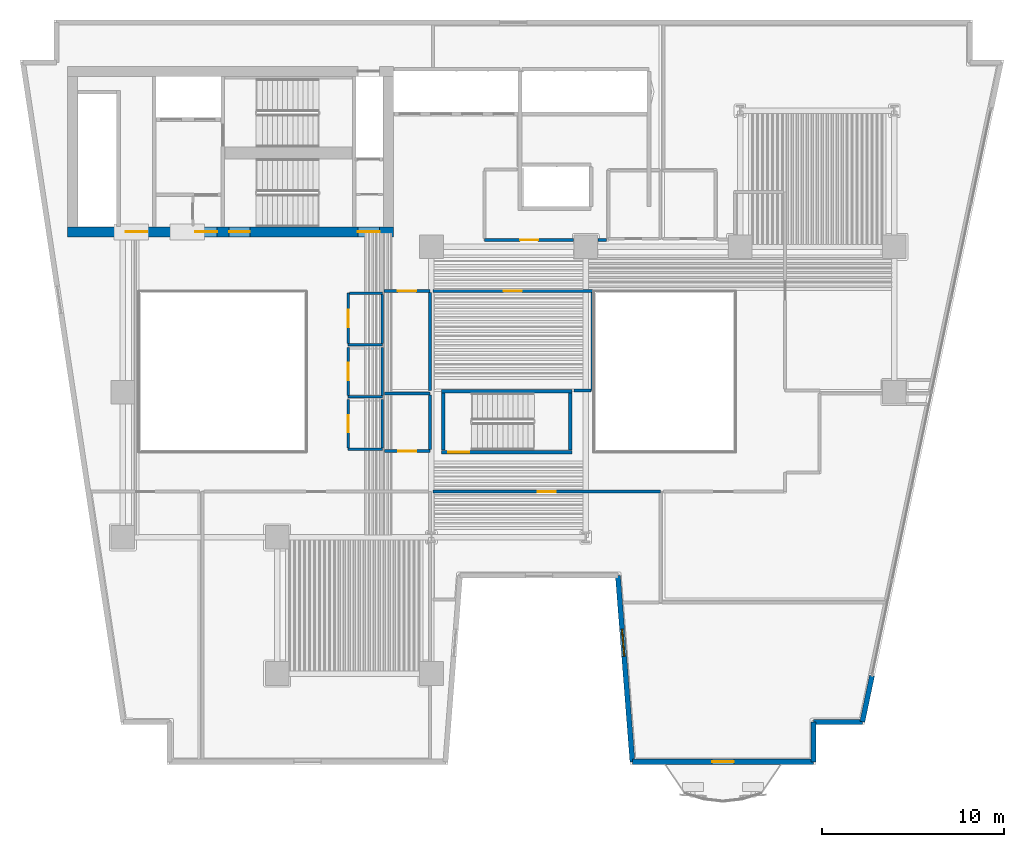
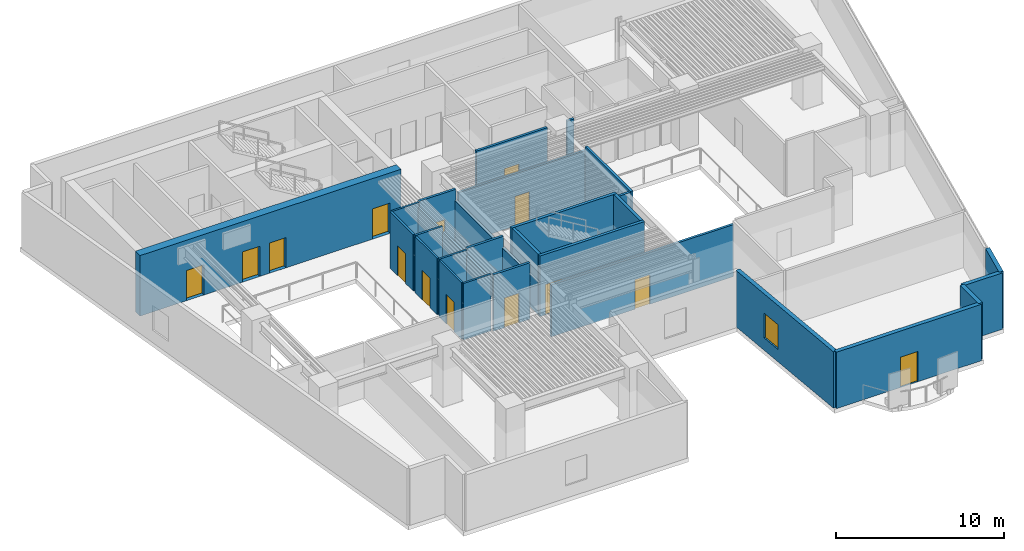
# One storey, part 4 of 11: 31 walls, 14 doors, 1 window, 15 openings.
"""IFC4 building model written with IfcOpenShell, lengths in metres."""

from ifc_helpers import new_model, si_unit, direction, frame, frame_2d, origin, place, context, subcontext, project, spatial, rectangle, extrude, material, layer, layer_set, type_object, element, fill, save


model = new_model("IFC4")

# Units and contexts
model_context = context("Model", 3, precision=1e-05, world=origin(), true_north=direction((0.0, 1.0)))
body_context = subcontext(model_context, "Body", "Model", "MODEL_VIEW")
ifc_project = project(units=[si_unit("LENGTHUNIT", "METRE"), si_unit("AREAUNIT", "SQUARE_METRE"), si_unit("VOLUMEUNIT", "CUBIC_METRE"), si_unit("PLANEANGLEUNIT", "RADIAN"), si_unit("MASSUNIT", "GRAM", prefix="KILO")], contexts=[model_context])

# Site, building, storey
site_placement = place(None, origin())
site = spatial("IfcSite", under=ifc_project, at=site_placement, CompositionType="ELEMENT")
building_placement = place(site_placement, origin())
building = spatial("IfcBuilding", under=site, at=building_placement, Name="Caeloran Harvest Quay", CompositionType="ELEMENT")
storey_placement = place(building_placement, frame((0.0, 0.0, 44.60009765625)))
storey = spatial("IfcBuildingStorey", under=building, at=storey_placement, Name="L10", CompositionType="ELEMENT", Elevation=44.60009765625)

# Walls
ifc_material_1 = material(Name="Precast concrete C50/60", Category="concrete")
ifc_layer_1 = layer(ifc_material_1, 0.280029296875, Name="Precast concrete C50/60")
ifc_layer_set_1 = layer_set([ifc_layer_1], Name="Precast concrete C50/60")
wall_type_1 = type_object("IfcWallType", Name="ENV-WALL-EW-280", PredefinedType="STANDARD", material=ifc_layer_set_1)
wall_1_placement = place(storey_placement, frame((49.77001953125, 7.384521484375, 0.0), z_axis=(0.0, 0.0, 1.0), x_axis=(-0.205551409765, -0.978646319128, 0.0)))
element("IfcWall", 1, at=wall_1_placement, inside=storey, type_object=wall_type_1, Name="L10 Exterior Facade Corner Pier Wall 9B", PredefinedType="STANDARD", context=body_context, shape_type="SweptSolid", body=[
    extrude(rectangle(XDim=2.599853515625, YDim=0.280029296875, at=frame_2d((1.2998046875, 0.0))), origin(), (0.0, 0.0, 1.0), 4.099853515625),
])
wall_2_placement = place(storey_placement, frame((49.235595703125, 4.840087890625, 0.0), z_axis=(0.0, 0.0, 1.0), x_axis=(-1.0, 0.0, 0.0)))
element("IfcWall", 2, at=wall_2_placement, inside=storey, type_object=wall_type_1, Name="L10 Exterior Precast Concrete Facade Wall 10", PredefinedType="STANDARD", context=body_context, shape_type="SweptSolid", body=[
    extrude(rectangle(XDim=2.6884765625, YDim=0.280029296875, at=frame_2d((1.34423828125, 0.0))), origin(), (0.0, 0.0, 1.0), 4.099853515625),
])
wall_3_placement = place(storey_placement, frame((46.547119140625, 4.840087890625, 0.0), z_axis=(0.0, 0.0, 1.0), x_axis=(0.0, -1.0, 0.0)))
element("IfcWall", 3, at=wall_3_placement, inside=storey, type_object=wall_type_1, Name="L10 Exterior Precast Concrete Facade Wall 11", PredefinedType="STANDARD", context=body_context, shape_type="SweptSolid", body=[
    extrude(rectangle(XDim=2.2001953125, YDim=0.280029296875, at=frame_2d((1.10009765625, 0.0))), origin(), (0.0, 0.0, 1.0), 4.099853515625),
])

# Wall, opening, door
wall_4_placement = place(storey_placement, frame((46.547119140625, 2.639892578125, 0.0), z_axis=(0.0, 0.0, 1.0), x_axis=(-1.0, 0.0, 0.0)))
wall_4 = element("IfcWall", 4, at=wall_4_placement, inside=storey, type_object=wall_type_1, Name="L10 Exterior Precast Concrete Facade Wall 12", PredefinedType="STANDARD", context=body_context, shape_type="SweptSolid", body=[
    extrude(rectangle(XDim=9.97705078125, YDim=0.280029296875, at=frame_2d((4.988525390625, 0.0))), origin(), (0.0, 0.0, 1.0), 4.099853515625),
])
opening_1_placement = place(wall_4_placement, frame((4.387939453125, 0.0, 0.0)))
opening_1 = element("IfcOpeningElement", 5, at=opening_1_placement, cuts=wall_4, Name="Opening BD-01", PredefinedType="OPENING", context=body_context, shape_type="SweptSolid", body=[
    extrude(rectangle(XDim=1.199951171875, YDim=2.199951171875, at=frame_2d((0.60009765625, 1.10009765625))), frame((0.0, 0.14990234375, 0.0), z_axis=(0.0, -1.0, 0.0), x_axis=(1.0, 0.0, 0.0)), (0.0, 0.0, 1.0), 0.300048828125),
])
ifc_material_2 = material(Name="Thermally Broken Powder-Coated Aluminium and Safety Glass", Category="aluminium")
door_type_1 = type_object("IfcDoorType", Name="EXTDOOR-BD-01", OperationType="NOTDEFINED", PredefinedType="DOOR", material=ifc_material_2)
door_1_placement = place(opening_1_placement, origin())
door_1 = element("IfcDoor", 6, at=door_1_placement, inside=storey, type_object=door_type_1, Name="L10 Planted Balcony Glazed Access Door", OperationType="SINGLE_SWING_LEFT", OverallHeight=2.199951171875, OverallWidth=1.199951171875, PredefinedType="DOOR", context=body_context, shape_type="SweptSolid", body=[
    extrude(rectangle(XDim=1.199951171875, YDim=2.199951171875, at=frame_2d((0.60009765625, 1.10009765625))), frame((0.0, 0.02490234375, 0.0), z_axis=(0.0, -1.0, 0.0), x_axis=(1.0, 0.0, 0.0)), (0.0, 0.0, 1.0), 0.050048828125),
])
fill(opening_1, door_1)

# Wall, opening, window
wall_5_placement = place(storey_placement, frame((36.570068359375, 2.639892578125, 0.0), z_axis=(0.0, 0.0, 1.0), x_axis=(-0.077816860153, 0.996967670627, 0.0)))
wall_5 = element("IfcWall", 7, at=wall_5_placement, inside=storey, type_object=wall_type_1, Name="L10 Exterior Precast Concrete Facade Wall 13", PredefinedType="STANDARD", context=body_context, shape_type="SweptSolid", body=[
    extrude(rectangle(XDim=10.28125, YDim=0.280029296875, at=frame_2d((5.140625, 0.0))), origin(), (0.0, 0.0, 1.0), 4.099853515625),
])
opening_2_placement = place(wall_5_placement, frame((5.830078125, 0.0, 0.89990234375)))
opening_2 = element("IfcOpeningElement", 8, at=opening_2_placement, cuts=wall_5, Name="Opening W-03", PredefinedType="OPENING", context=body_context, shape_type="SweptSolid", body=[
    extrude(rectangle(XDim=1.5, YDim=1.800048828125, at=frame_2d((0.75, 0.89990234375))), frame((0.0, 0.14990234375, 0.0), z_axis=(0.0, -1.0, 0.0), x_axis=(1.0, 0.0, 0.0)), (0.0, 0.0, 1.0), 0.300048828125),
])
ifc_material_3 = material(Name="Aluminium-Framed Low-E Laminated Glass", Category="aluminium")
window_type = type_object("IfcWindowType", Name="WIN-W-03", PartitioningType="SINGLE_PANEL", PredefinedType="WINDOW", material=ifc_material_3)
window_placement = place(opening_2_placement, origin())
window = element("IfcWindow", 9, at=window_placement, inside=storey, type_object=window_type, Name="L10 Facade Punched Window W-03", OverallHeight=1.800048828125, OverallWidth=1.5, PartitioningType="SINGLE_PANEL", PredefinedType="WINDOW", context=body_context, shape_type="SweptSolid", body=[
    extrude(rectangle(XDim=1.5, YDim=1.800048828125, at=frame_2d((0.75, 0.89990234375))), frame((0.0, 0.030029296875, 0.0), z_axis=(0.0, -1.0, 0.0), x_axis=(1.0, 0.0, 0.0)), (0.0, 0.0, 1.0), 0.06005859375),
])
fill(opening_2, window)

# Wall
ifc_material_4 = material(Name="Moisture-Resistant Cement-Board Sanitary Partition", Category="gypsum")
ifc_layer_2 = layer(ifc_material_4, 0.139892578125, Name="Moisture-Resistant Cement-Board Sanitary Partition")
ifc_layer_set_2 = layer_set([ifc_layer_2], Name="Moisture-Resistant Cement-Board Sanitary Partition")
wall_type_2 = type_object("IfcWallType", Name="INT-WALL-PW-140", PredefinedType="PARTITIONING", material=ifc_layer_set_2)
wall_6_placement = place(storey_placement, frame((22.800048828125, 25.60009765625, 0.0), z_axis=(0.0, 0.0, 1.0), x_axis=(-1.0, 0.0, 0.0)))
element("IfcWall", 10, at=wall_6_placement, inside=storey, type_object=wall_type_2, Name="L10 Male Washroom WC Partition Wall", PredefinedType="PARTITIONING", context=body_context, shape_type="SweptSolid", body=[
    extrude(rectangle(XDim=1.89013671875, YDim=0.139892578125, at=frame_2d((0.945068359375, 0.0))), origin(), (0.0, 0.0, 1.0), 4.099853515625),
])

# Wall, opening, door
wall_7_placement = place(storey_placement, frame((20.909912109375, 25.675048828125, 0.0), z_axis=(0.0, 0.0, 1.0), x_axis=(0.0, 1.0, 0.0)))
wall_7 = element("IfcWall", 11, at=wall_7_placement, inside=storey, type_object=wall_type_2, Name="L10 Male Washroom WC Partition Wall", PredefinedType="PARTITIONING", context=body_context, shape_type="SweptSolid", body=[
    extrude(rectangle(XDim=2.77490234375, YDim=0.139892578125, at=frame_2d((1.387451171875, 0.0))), origin(), (0.0, 0.0, 1.0), 4.099853515625),
])
opening_3_placement = place(wall_7_placement, frame((0.91259765625, 0.0, 0.0)))
opening_3 = element("IfcOpeningElement", 12, at=opening_3_placement, cuts=wall_7, Name="Opening WC-01", PredefinedType="OPENING", context=body_context, shape_type="SweptSolid", body=[
    extrude(rectangle(XDim=0.949951171875, YDim=2.14990234375, at=frame_2d((0.47509765625, 1.074951171875))), frame((0.0, 0.080078125, 0.0), z_axis=(0.0, -1.0, 0.0), x_axis=(1.0, 0.0, 0.0)), (0.0, 0.0, 1.0), 0.159912109375),
])
ifc_material_5 = material(Name="High-Pressure Laminate Moisture-Resistant Timber", Category="wood")
door_type_2 = type_object("IfcDoorType", Name="INTDOOR-WC-01", OperationType="NOTDEFINED", PredefinedType="DOOR", material=ifc_material_5)
door_2_placement = place(opening_3_placement, origin())
door_2 = element("IfcDoor", 13, at=door_2_placement, inside=storey, type_object=door_type_2, Name="L10 Male Washroom WC Access Door", OperationType="SINGLE_SWING_LEFT", OverallHeight=2.14990234375, OverallWidth=0.949951171875, PredefinedType="DOOR", context=body_context, shape_type="SweptSolid", body=[
    extrude(rectangle(XDim=0.949951171875, YDim=2.14990234375, at=frame_2d((0.47509765625, 1.074951171875))), frame((0.0, 0.02490234375, 0.0), z_axis=(0.0, -1.0, 0.0), x_axis=(1.0, 0.0, 0.0)), (0.0, 0.0, 1.0), 0.050048828125),
])
fill(opening_3, door_2)

# Walls
wall_8_placement = place(storey_placement, frame((20.985107421875, 28.449951171875, 0.0), z_axis=(0.0, 0.0, 1.0), x_axis=(1.0, 0.0, 0.0)))
element("IfcWall", 14, at=wall_8_placement, inside=storey, type_object=wall_type_2, Name="L10 Male Washroom WC Partition Wall", PredefinedType="PARTITIONING", context=body_context, shape_type="SweptSolid", body=[
    extrude(rectangle(XDim=1.81494140625, YDim=0.139892578125, at=frame_2d((0.907470703125, 0.0))), origin(), (0.0, 0.0, 1.0), 4.099853515625),
])
wall_9_placement = place(storey_placement, frame((22.800048828125, 28.375, 0.0), z_axis=(0.0, 0.0, 1.0), x_axis=(0.0, -1.0, 0.0)))
element("IfcWall", 15, at=wall_9_placement, inside=storey, type_object=wall_type_2, Name="L10 Male Washroom WC Partition Wall", PredefinedType="PARTITIONING", context=body_context, shape_type="SweptSolid", body=[
    extrude(rectangle(XDim=2.699951171875, YDim=0.139892578125, at=frame_2d((1.35009765625, 0.0))), origin(), (0.0, 0.0, 1.0), 3.784912109375),
])
wall_10_placement = place(storey_placement, frame((22.800048828125, 22.75, 0.0), z_axis=(0.0, 0.0, 1.0), x_axis=(-1.0, 0.0, 0.0)))
element("IfcWall", 16, at=wall_10_placement, inside=storey, type_object=wall_type_2, Name="L10 Female Washroom WC Partition Wall", PredefinedType="PARTITIONING", context=body_context, shape_type="SweptSolid", body=[
    extrude(rectangle(XDim=1.89013671875, YDim=0.139892578125, at=frame_2d((0.945068359375, 0.0))), origin(), (0.0, 0.0, 1.0), 4.099853515625),
])

# Wall, opening, door
wall_11_placement = place(storey_placement, frame((20.909912109375, 22.824951171875, 0.0), z_axis=(0.0, 0.0, 1.0), x_axis=(0.0, 1.0, 0.0)))
wall_11 = element("IfcWall", 17, at=wall_11_placement, inside=storey, type_object=wall_type_2, Name="L10 Female Washroom WC Partition Wall", PredefinedType="PARTITIONING", context=body_context, shape_type="SweptSolid", body=[
    extrude(rectangle(XDim=2.625, YDim=0.139892578125, at=frame_2d((1.3125, 0.0))), origin(), (0.0, 0.0, 1.0), 4.099853515625),
])
opening_4_placement = place(wall_11_placement, frame((0.83740234375, 0.0, 0.0)))
opening_4 = element("IfcOpeningElement", 18, at=opening_4_placement, cuts=wall_11, Name="Opening WC-01", PredefinedType="OPENING", context=body_context, shape_type="SweptSolid", body=[
    extrude(rectangle(XDim=0.949951171875, YDim=2.14990234375, at=frame_2d((0.47509765625, 1.074951171875))), frame((0.0, 0.080078125, 0.0), z_axis=(0.0, -1.0, 0.0), x_axis=(1.0, 0.0, 0.0)), (0.0, 0.0, 1.0), 0.159912109375),
])
door_3_placement = place(opening_4_placement, origin())
door_3 = element("IfcDoor", 19, at=door_3_placement, inside=storey, type_object=door_type_2, Name="L10 Female Washroom WC Access Door", OperationType="SINGLE_SWING_RIGHT", OverallHeight=2.14990234375, OverallWidth=0.949951171875, PredefinedType="DOOR", context=body_context, shape_type="SweptSolid", body=[
    extrude(rectangle(XDim=0.949951171875, YDim=2.14990234375, at=frame_2d((0.47509765625, 1.074951171875))), frame((0.0, 0.02490234375, 0.0), z_axis=(0.0, -1.0, 0.0), x_axis=(1.0, 0.0, 0.0)), (0.0, 0.0, 1.0), 0.050048828125),
])
fill(opening_4, door_3)

# Walls
wall_12_placement = place(storey_placement, frame((22.800048828125, 25.449951171875, 0.0), z_axis=(0.0, 0.0, 1.0), x_axis=(0.0, -1.0, 0.0)))
element("IfcWall", 20, at=wall_12_placement, inside=storey, type_object=wall_type_2, Name="L10 Female Washroom WC Partition Wall", PredefinedType="PARTITIONING", context=body_context, shape_type="SweptSolid", body=[
    extrude(rectangle(XDim=2.625, YDim=0.139892578125, at=frame_2d((1.3125, 0.0))), origin(), (0.0, 0.0, 1.0), 3.784912109375),
])
wall_13_placement = place(storey_placement, frame((22.800048828125, 19.85009765625, 0.0), z_axis=(0.0, 0.0, 1.0), x_axis=(-1.0, 0.0, 0.0)))
element("IfcWall", 21, at=wall_13_placement, inside=storey, type_object=wall_type_2, Name="L10 Accessible Unisex Washroom WC Partition Wall", PredefinedType="PARTITIONING", context=body_context, shape_type="SweptSolid", body=[
    extrude(rectangle(XDim=1.89013671875, YDim=0.139892578125, at=frame_2d((0.945068359375, 0.0))), origin(), (0.0, 0.0, 1.0), 4.099853515625),
])

# Wall, opening, door
wall_14_placement = place(storey_placement, frame((20.909912109375, 19.925048828125, 0.0), z_axis=(0.0, 0.0, 1.0), x_axis=(0.0, 1.0, 0.0)))
wall_14 = element("IfcWall", 22, at=wall_14_placement, inside=storey, type_object=wall_type_2, Name="L10 Accessible Unisex Washroom WC Partition Wall", PredefinedType="PARTITIONING", context=body_context, shape_type="SweptSolid", body=[
    extrude(rectangle(XDim=2.675048828125, YDim=0.139892578125, at=frame_2d((1.33740234375, 0.0))), origin(), (0.0, 0.0, 1.0), 4.099853515625),
])
opening_5_placement = place(wall_14_placement, frame((0.862548828125, 0.0, 0.0)))
opening_5 = element("IfcOpeningElement", 23, at=opening_5_placement, cuts=wall_14, Name="Opening WC-01", PredefinedType="OPENING", context=body_context, shape_type="SweptSolid", body=[
    extrude(rectangle(XDim=0.949951171875, YDim=2.14990234375, at=frame_2d((0.47509765625, 1.074951171875))), frame((0.0, 0.080078125, 0.0), z_axis=(0.0, -1.0, 0.0), x_axis=(1.0, 0.0, 0.0)), (0.0, 0.0, 1.0), 0.159912109375),
])
door_4_placement = place(opening_5_placement, origin())
door_4 = element("IfcDoor", 24, at=door_4_placement, inside=storey, type_object=door_type_2, Name="L10 Accessible Unisex Washroom WC Access Door", OperationType="SINGLE_SWING_LEFT", OverallHeight=2.14990234375, OverallWidth=0.949951171875, PredefinedType="DOOR", context=body_context, shape_type="SweptSolid", body=[
    extrude(rectangle(XDim=0.949951171875, YDim=2.14990234375, at=frame_2d((0.47509765625, 1.074951171875))), frame((0.0, 0.02490234375, 0.0), z_axis=(0.0, -1.0, 0.0), x_axis=(1.0, 0.0, 0.0)), (0.0, 0.0, 1.0), 0.050048828125),
])
fill(opening_5, door_4)

# Wall
wall_15_placement = place(storey_placement, frame((22.800048828125, 22.60009765625, 0.0), z_axis=(0.0, 0.0, 1.0), x_axis=(0.0, -1.0, 0.0)))
element("IfcWall", 25, at=wall_15_placement, inside=storey, type_object=wall_type_2, Name="L10 Accessible Unisex Washroom WC Partition Wall", PredefinedType="PARTITIONING", context=body_context, shape_type="SweptSolid", body=[
    extrude(rectangle(XDim=2.675048828125, YDim=0.139892578125, at=frame_2d((1.33740234375, 0.0))), origin(), (0.0, 0.0, 1.0), 3.784912109375),
])

# Wall, opening, door
ifc_material_6 = material(Name="Autoclaved Aerated Concrete Blockwork", Category="masonry")
ifc_layer_3 = layer(ifc_material_6, 0.1650390625, Name="Autoclaved Aerated Concrete Blockwork")
ifc_layer_set_3 = layer_set([ifc_layer_3], Name="Autoclaved Aerated Concrete Blockwork")
wall_type_3 = type_object("IfcWallType", Name="INT-WALL-PW-165", PredefinedType="PARTITIONING", material=ifc_layer_set_3)
wall_16_placement = place(storey_placement, frame((25.580078125, 17.52001953125, 0.0), z_axis=(0.0, 0.0, 1.0), x_axis=(1.0, 0.0, 0.0)))
wall_16 = element("IfcWall", 26, at=wall_16_placement, inside=storey, type_object=wall_type_3, Name="Microgreens LED Rack Chamber Partition Wall", PredefinedType="PARTITIONING", context=body_context, shape_type="SweptSolid", body=[
    extrude(rectangle(XDim=12.5400390625, YDim=0.1650390625, at=frame_2d((6.27001953125, 0.0))), origin(), (0.0, 0.0, 1.0), 3.784912109375),
])
opening_6_placement = place(wall_16_placement, frame((5.77001953125, 0.0, 0.0)))
opening_6 = element("IfcOpeningElement", 27, at=opening_6_placement, cuts=wall_16, Name="Opening ID-01", PredefinedType="OPENING", context=body_context, shape_type="SweptSolid", body=[
    extrude(rectangle(XDim=1.0, YDim=2.14990234375, at=frame_2d((0.5, 1.074951171875))), frame((0.0, 0.092529296875, 0.0), z_axis=(0.0, -1.0, 0.0), x_axis=(1.0, 0.0, 0.0)), (0.0, 0.0, 1.0), 0.18505859375),
])
ifc_material_7 = material(Name="FSC Solid-Core Ash Timber and Acoustic Seal", Category="wood")
door_type_3 = type_object("IfcDoorType", Name="INTDOOR-ID-01", OperationType="NOTDEFINED", PredefinedType="DOOR", material=ifc_material_7)
door_5_placement = place(opening_6_placement, origin())
door_5 = element("IfcDoor", 28, at=door_5_placement, inside=storey, type_object=door_type_3, Name="Microgreens LED Rack Chamber Access Door", OperationType="SINGLE_SWING_LEFT", OverallHeight=2.14990234375, OverallWidth=1.0, PredefinedType="DOOR", context=body_context, shape_type="SweptSolid", body=[
    extrude(rectangle(XDim=1.0, YDim=2.14990234375, at=frame_2d((0.5, 1.074951171875))), frame((0.0, 0.02490234375, 0.0), z_axis=(0.0, -1.0, 0.0), x_axis=(1.0, 0.0, 0.0)), (0.0, 0.0, 1.0), 0.050048828125),
])
fill(opening_6, door_5)

wall_17_placement = place(storey_placement, frame((25.419921875, 19.75, 0.0), z_axis=(0.0, 0.0, 1.0), x_axis=(-1.0, 0.0, 0.0)))
wall_17 = element("IfcWall", 29, at=wall_17_placement, inside=storey, type_object=wall_type_3, Name="Controlled-Climate Seed Vault Laboratory Partition Wall", PredefinedType="PARTITIONING", context=body_context, shape_type="SweptSolid", body=[
    extrude(rectangle(XDim=2.510009765625, YDim=0.1650390625, at=frame_2d((1.2548828125, 0.0))), origin(), (0.0, 0.0, 1.0), 4.099853515625),
])
opening_7_placement = place(wall_17_placement, frame((0.7548828125, 0.0, 0.0)))
opening_7 = element("IfcOpeningElement", 30, at=opening_7_placement, cuts=wall_17, Name="Opening ID-01", PredefinedType="OPENING", context=body_context, shape_type="SweptSolid", body=[
    extrude(rectangle(XDim=1.0, YDim=2.14990234375, at=frame_2d((0.5, 1.074951171875))), frame((0.0, 0.092529296875, 0.0), z_axis=(0.0, -1.0, 0.0), x_axis=(1.0, 0.0, 0.0)), (0.0, 0.0, 1.0), 0.18505859375),
])
door_6_placement = place(opening_7_placement, origin())
door_6 = element("IfcDoor", 31, at=door_6_placement, inside=storey, type_object=door_type_3, Name="Controlled-Climate Seed Vault Laboratory Access Door", OperationType="SINGLE_SWING_RIGHT", OverallHeight=2.14990234375, OverallWidth=1.0, PredefinedType="DOOR", context=body_context, shape_type="SweptSolid", body=[
    extrude(rectangle(XDim=1.0, YDim=2.14990234375, at=frame_2d((0.5, 1.074951171875))), frame((0.0, 0.02490234375, 0.0), z_axis=(0.0, -1.0, 0.0), x_axis=(1.0, 0.0, 0.0)), (0.0, 0.0, 1.0), 0.050048828125),
])
fill(opening_7, door_6)

# Walls
wall_18_placement = place(storey_placement, frame((22.909912109375, 22.919921875, 0.0), z_axis=(0.0, 0.0, 1.0), x_axis=(1.0, 0.0, 0.0)))
element("IfcWall", 32, at=wall_18_placement, inside=storey, type_object=wall_type_3, Name="Controlled-Climate Seed Vault Laboratory Partition Wall", PredefinedType="PARTITIONING", context=body_context, shape_type="SweptSolid", body=[
    extrude(rectangle(XDim=2.510009765625, YDim=0.1650390625, at=frame_2d((1.2548828125, 0.0))), origin(), (0.0, 0.0, 1.0), 4.099853515625),
])
wall_19_placement = place(storey_placement, frame((25.419921875, 22.83251953125, 0.0), z_axis=(0.0, 0.0, 1.0), x_axis=(0.0, -1.0, 0.0)))
element("IfcWall", 33, at=wall_19_placement, inside=storey, type_object=wall_type_3, Name="Controlled-Climate Seed Vault Laboratory Partition Wall", PredefinedType="PARTITIONING", context=body_context, shape_type="SweptSolid", body=[
    extrude(rectangle(XDim=2.9951171875, YDim=0.1650390625, at=frame_2d((1.49755859375, 0.0))), origin(), (0.0, 0.0, 1.0), 3.284912109375),
])

# Wall, opening, door
wall_20_placement = place(storey_placement, frame((22.889892578125, 28.570068359375, 0.0), z_axis=(0.0, 0.0, 1.0), x_axis=(1.0, 0.0, 0.0)))
wall_20 = element("IfcWall", 34, at=wall_20_placement, inside=storey, type_object=wall_type_3, Name="Farm Operations Office Partition Wall", PredefinedType="PARTITIONING", context=body_context, shape_type="SweptSolid", body=[
    extrude(rectangle(XDim=2.530029296875, YDim=0.1650390625, at=frame_2d((1.26513671875, 0.0))), origin(), (0.0, 0.0, 1.0), 4.099853515625),
])
opening_8_placement = place(wall_20_placement, frame((0.764892578125, 0.0, 0.0)))
opening_8 = element("IfcOpeningElement", 35, at=opening_8_placement, cuts=wall_20, Name="Opening ID-01", PredefinedType="OPENING", context=body_context, shape_type="SweptSolid", body=[
    extrude(rectangle(XDim=1.0, YDim=2.14990234375, at=frame_2d((0.5, 1.074951171875))), frame((0.0, 0.092529296875, 0.0), z_axis=(0.0, -1.0, 0.0), x_axis=(1.0, 0.0, 0.0)), (0.0, 0.0, 1.0), 0.18505859375),
])
door_7_placement = place(opening_8_placement, origin())
door_7 = element("IfcDoor", 36, at=door_7_placement, inside=storey, type_object=door_type_3, Name="Farm Operations Office Access Door", OperationType="SINGLE_SWING_LEFT", OverallHeight=2.14990234375, OverallWidth=1.0, PredefinedType="DOOR", context=body_context, shape_type="SweptSolid", body=[
    extrude(rectangle(XDim=1.0, YDim=2.14990234375, at=frame_2d((0.5, 1.074951171875))), frame((0.0, 0.02490234375, 0.0), z_axis=(0.0, -1.0, 0.0), x_axis=(1.0, 0.0, 0.0)), (0.0, 0.0, 1.0), 0.050048828125),
])
fill(opening_8, door_7)

# Wall
wall_21_placement = place(storey_placement, frame((25.419921875, 28.482421875, 0.0), z_axis=(0.0, 0.0, 1.0), x_axis=(0.0, -1.0, 0.0)))
element("IfcWall", 37, at=wall_21_placement, inside=storey, type_object=wall_type_3, Name="Farm Operations Office Partition Wall", PredefinedType="PARTITIONING", context=body_context, shape_type="SweptSolid", body=[
    extrude(rectangle(XDim=5.40234375, YDim=0.1650390625, at=frame_2d((2.701171875, 0.0))), origin(), (0.0, 0.0, 1.0), 3.284912109375),
])

# Wall, opening, door
wall_22_placement = place(storey_placement, frame((25.580078125, 28.570068359375, 0.0), z_axis=(0.0, 0.0, 1.0), x_axis=(1.0, 0.0, 0.0)))
wall_22 = element("IfcWall", 38, at=wall_22_placement, inside=storey, type_object=wall_type_3, Name="Botanical Tasting Meeting Room Partition Wall", PredefinedType="PARTITIONING", context=body_context, shape_type="SweptSolid", body=[
    extrude(rectangle(XDim=8.7900390625, YDim=0.1650390625, at=frame_2d((4.39501953125, 0.0))), origin(), (0.0, 0.0, 1.0), 3.784912109375),
])
opening_9_placement = place(wall_22_placement, frame((3.89501953125, 0.0, 0.0)))
opening_9 = element("IfcOpeningElement", 39, at=opening_9_placement, cuts=wall_22, Name="Opening ID-01", PredefinedType="OPENING", context=body_context, shape_type="SweptSolid", body=[
    extrude(rectangle(XDim=1.0, YDim=2.14990234375, at=frame_2d((0.5, 1.074951171875))), frame((0.0, 0.092529296875, 0.0), z_axis=(0.0, -1.0, 0.0), x_axis=(1.0, 0.0, 0.0)), (0.0, 0.0, 1.0), 0.18505859375),
])
door_8_placement = place(opening_9_placement, origin())
door_8 = element("IfcDoor", 40, at=door_8_placement, inside=storey, type_object=door_type_3, Name="Botanical Tasting Meeting Room Access Door", OperationType="SINGLE_SWING_RIGHT", OverallHeight=2.14990234375, OverallWidth=1.0, PredefinedType="DOOR", context=body_context, shape_type="SweptSolid", body=[
    extrude(rectangle(XDim=1.0, YDim=2.14990234375, at=frame_2d((0.5, 1.074951171875))), frame((0.0, 0.02490234375, 0.0), z_axis=(0.0, -1.0, 0.0), x_axis=(1.0, 0.0, 0.0)), (0.0, 0.0, 1.0), 0.050048828125),
])
fill(opening_9, door_8)

# Walls
wall_23_placement = place(storey_placement, frame((34.3701171875, 28.482421875, 0.0), z_axis=(0.0, 0.0, 1.0), x_axis=(0.0, -1.0, 0.0)))
element("IfcWall", 41, at=wall_23_placement, inside=storey, type_object=wall_type_3, Name="Botanical Tasting Meeting Room Partition Wall", PredefinedType="PARTITIONING", context=body_context, shape_type="SweptSolid", body=[
    extrude(rectangle(XDim=5.40234375, YDim=0.1650390625, at=frame_2d((2.701171875, 0.0))), origin(), (0.0, 0.0, 1.0), 4.099853515625),
])
wall_24_placement = place(storey_placement, frame((34.282470703125, 23.080078125, 0.0), z_axis=(0.0, 0.0, 1.0), x_axis=(-1.0, 0.0, 0.0)))
element("IfcWall", 42, at=wall_24_placement, inside=storey, type_object=wall_type_3, Name="Botanical Tasting Meeting Room Partition Wall", PredefinedType="PARTITIONING", context=body_context, shape_type="SweptSolid", body=[
    extrude(rectangle(XDim=0.93798828125, YDim=0.1650390625, at=frame_2d((0.468994140625, 0.0))), origin(), (0.0, 0.0, 1.0), 4.099853515625),
])
wall_25_placement = place(storey_placement, frame((35.155517578125, 31.3798828125, 0.0), z_axis=(0.0, 0.0, 1.0), x_axis=(-1.0, 0.0, 0.0)))
element("IfcWall", 43, at=wall_25_placement, inside=storey, type_object=wall_type_3, Name="Saffron and Herb Vertical Growing Room 9 Partition Wall", PredefinedType="PARTITIONING", context=body_context, shape_type="SweptSolid", body=[
    extrude(rectangle(XDim=0.48046875, YDim=0.1650390625, at=frame_2d((0.240234375, 0.0))), origin(), (0.0, 0.0, 1.0), 4.099853515625),
])

# Wall, opening, door
wall_26_placement = place(storey_placement, frame((33.324951171875, 31.3798828125, 0.0), z_axis=(0.0, 0.0, 1.0), x_axis=(-1.0, 0.0, 0.0)))
wall_26 = element("IfcWall", 44, at=wall_26_placement, inside=storey, type_object=wall_type_3, Name="Saffron and Herb Vertical Growing Room 9 Partition Wall", PredefinedType="PARTITIONING", context=body_context, shape_type="SweptSolid", body=[
    extrude(rectangle(XDim=4.89501953125, YDim=0.1650390625, at=frame_2d((2.447509765625, 0.0))), origin(), (0.0, 0.0, 1.0), 4.099853515625),
])
opening_10_placement = place(wall_26_placement, frame((1.947509765625, 0.0, 0.0)))
opening_10 = element("IfcOpeningElement", 45, at=opening_10_placement, cuts=wall_26, Name="Opening ID-01", PredefinedType="OPENING", context=body_context, shape_type="SweptSolid", body=[
    extrude(rectangle(XDim=1.0, YDim=2.14990234375, at=frame_2d((0.5, 1.074951171875))), frame((0.0, 0.092529296875, 0.0), z_axis=(0.0, -1.0, 0.0), x_axis=(1.0, 0.0, 0.0)), (0.0, 0.0, 1.0), 0.18505859375),
])
door_9_placement = place(opening_10_placement, origin())
door_9 = element("IfcDoor", 46, at=door_9_placement, inside=storey, type_object=door_type_3, Name="Saffron and Herb Vertical Growing Room 9 Access Door", OperationType="SINGLE_SWING_RIGHT", OverallHeight=2.14990234375, OverallWidth=1.0, PredefinedType="DOOR", context=body_context, shape_type="SweptSolid", body=[
    extrude(rectangle(XDim=1.0, YDim=2.14990234375, at=frame_2d((0.5, 1.074951171875))), frame((0.0, 0.02490234375, 0.0), z_axis=(0.0, -1.0, 0.0), x_axis=(1.0, 0.0, 0.0)), (0.0, 0.0, 1.0), 0.050048828125),
])
fill(opening_10, door_9)

# Wall, openings, doors
ifc_material_8 = material(Name="Concrete C80/95", Category="concrete")
ifc_layer_4 = layer(ifc_material_8, 0.550048828125, Name="Concrete C80/95")
ifc_layer_set_4 = layer_set([ifc_layer_4], Name="Concrete C80/95")
wall_type_4 = type_object("IfcWallType", Name="STR-WALL-CW-550", PredefinedType="SHEAR", material=ifc_layer_set_4)
wall_27_placement = place(storey_placement, frame((5.449951171875, 31.824951171875, 0.0), z_axis=(0.0, 0.0, 1.0), x_axis=(1.0, 0.0, 0.0)))
wall_27 = element("IfcWall", 47, at=wall_27_placement, inside=storey, type_object=wall_type_4, Name="L10 Rear Core Shear Wall S", PredefinedType="SHEAR", context=body_context, shape_type="SweptSolid", body=[
    extrude(rectangle(XDim=17.949951171875, YDim=0.550048828125, at=frame_2d((8.97509765625, 0.0))), origin(), (0.0, 0.0, 1.0), 4.39990234375),
])
opening_11_placement = place(wall_27_placement, frame((3.199951171875, 0.0, 0.0)))
opening_11 = element("IfcOpeningElement", 48, at=opening_11_placement, cuts=wall_27, Name="Opening FD-01", PredefinedType="OPENING", context=body_context, shape_type="SweptSolid", body=[
    extrude(rectangle(XDim=1.199951171875, YDim=2.199951171875, at=frame_2d((0.60009765625, 1.10009765625))), frame((0.0, 0.28515625, 0.0), z_axis=(0.0, -1.0, 0.0), x_axis=(1.0, 0.0, 0.0)), (0.0, 0.0, 1.0), 0.570068359375),
])
opening_12_placement = place(wall_27_placement, frame((7.050048828125, 0.0, 0.0)))
opening_12 = element("IfcOpeningElement", 49, at=opening_12_placement, cuts=wall_27, Name="Opening FD-01", PredefinedType="OPENING", context=body_context, shape_type="SweptSolid", body=[
    extrude(rectangle(XDim=1.199951171875, YDim=2.199951171875, at=frame_2d((0.60009765625, 1.10009765625))), frame((0.0, 0.28515625, 0.0), z_axis=(0.0, -1.0, 0.0), x_axis=(1.0, 0.0, 0.0)), (0.0, 0.0, 1.0), 0.570068359375),
])
opening_13_placement = place(wall_27_placement, frame((8.89990234375, 0.0, 0.0)))
opening_13 = element("IfcOpeningElement", 50, at=opening_13_placement, cuts=wall_27, Name="Opening SD-01", PredefinedType="OPENING", context=body_context, shape_type="SweptSolid", body=[
    extrude(rectangle(XDim=1.14990234375, YDim=2.199951171875, at=frame_2d((0.574951171875, 1.10009765625))), frame((0.0, 0.28515625, 0.0), z_axis=(0.0, -1.0, 0.0), x_axis=(1.0, 0.0, 0.0)), (0.0, 0.0, 1.0), 0.570068359375),
])
opening_14_placement = place(wall_27_placement, frame((16.0, 0.0, 0.0)))
opening_14 = element("IfcOpeningElement", 51, at=opening_14_placement, cuts=wall_27, Name="Opening FD-01", PredefinedType="OPENING", context=body_context, shape_type="SweptSolid", body=[
    extrude(rectangle(XDim=1.199951171875, YDim=2.199951171875, at=frame_2d((0.60009765625, 1.10009765625))), frame((0.0, 0.28515625, 0.0), z_axis=(0.0, -1.0, 0.0), x_axis=(1.0, 0.0, 0.0)), (0.0, 0.0, 1.0), 0.570068359375),
])
ifc_material_9 = material(Name="Steel", Category="steel")
door_type_4 = type_object("IfcDoorType", Name="INTDOOR-FD-01", OperationType="NOTDEFINED", PredefinedType="DOOR", material=ifc_material_9)
door_10_placement = place(opening_11_placement, origin())
door_10 = element("IfcDoor", 52, at=door_10_placement, inside=storey, type_object=door_type_4, Name="L10 High-Rise Lift Lobby Fire Door", OperationType="SINGLE_SWING_LEFT", OverallHeight=2.199951171875, OverallWidth=1.199951171875, PredefinedType="DOOR", context=body_context, shape_type="SweptSolid", body=[
    extrude(rectangle(XDim=1.199951171875, YDim=2.199951171875, at=frame_2d((0.60009765625, 1.10009765625))), frame((0.0, 0.02490234375, 0.0), z_axis=(0.0, -1.0, 0.0), x_axis=(1.0, 0.0, 0.0)), (0.0, 0.0, 1.0), 0.050048828125),
])
fill(opening_11, door_10)
door_11_placement = place(opening_12_placement, origin())
door_11 = element("IfcDoor", 53, at=door_11_placement, inside=storey, type_object=door_type_4, Name="L10 Firefighting Lobby Vestibule Fire Door", OperationType="SINGLE_SWING_RIGHT", OverallHeight=2.199951171875, OverallWidth=1.199951171875, PredefinedType="DOOR", context=body_context, shape_type="SweptSolid", body=[
    extrude(rectangle(XDim=1.199951171875, YDim=2.199951171875, at=frame_2d((0.60009765625, 1.10009765625))), frame((0.0, 0.02490234375, 0.0), z_axis=(0.0, -1.0, 0.0), x_axis=(1.0, 0.0, 0.0)), (0.0, 0.0, 1.0), 0.050048828125),
])
fill(opening_12, door_11)
door_12_placement = place(opening_14_placement, origin())
door_12 = element("IfcDoor", 54, at=door_12_placement, inside=storey, type_object=door_type_4, Name="L10 Service Lift Lobby Fire Door", OperationType="SINGLE_SWING_RIGHT", OverallHeight=2.199951171875, OverallWidth=1.199951171875, PredefinedType="DOOR", context=body_context, shape_type="SweptSolid", body=[
    extrude(rectangle(XDim=1.199951171875, YDim=2.199951171875, at=frame_2d((0.60009765625, 1.10009765625))), frame((0.0, 0.02490234375, 0.0), z_axis=(0.0, -1.0, 0.0), x_axis=(1.0, 0.0, 0.0)), (0.0, 0.0, 1.0), 0.050048828125),
])
fill(opening_14, door_12)
door_type_5 = type_object("IfcDoorType", Name="INTDOOR-SD-01", OperationType="NOTDEFINED", PredefinedType="DOOR", material=ifc_material_9)
door_13_placement = place(opening_13_placement, origin())
door_13 = element("IfcDoor", 55, at=door_13_placement, inside=storey, type_object=door_type_5, Name="L10 Protected Stair ST-C2 Exit Door", OperationType="SINGLE_SWING_LEFT", OverallHeight=2.199951171875, OverallWidth=1.14990234375, PredefinedType="DOOR", context=body_context, shape_type="SweptSolid", body=[
    extrude(rectangle(XDim=1.14990234375, YDim=2.199951171875, at=frame_2d((0.574951171875, 1.10009765625))), frame((0.0, 0.02490234375, 0.0), z_axis=(0.0, -1.0, 0.0), x_axis=(1.0, 0.0, 0.0)), (0.0, 0.0, 1.0), 0.050048828125),
])
fill(opening_13, door_13)

# Wall, opening, door
ifc_material_10 = material(Name="Concrete C60/75", Category="concrete")
ifc_layer_5 = layer(ifc_material_10, 0.199951171875, Name="Concrete C60/75")
ifc_layer_set_5 = layer_set([ifc_layer_5], Name="Concrete C60/75")
wall_type_5 = type_object("IfcWallType", Name="STR-WALL-SW-200", PredefinedType="SHEAR", material=ifc_layer_set_5)
wall_28_placement = place(storey_placement, frame((26.050048828125, 19.699951171875, 0.0), z_axis=(0.0, 0.0, 1.0), x_axis=(1.0, 0.0, 0.0)))
wall_28 = element("IfcWall", 56, at=wall_28_placement, inside=storey, type_object=wall_type_5, Name="L10 Stair ST-W1 S RC Shaft Shear Wall", PredefinedType="SHEAR", context=body_context, shape_type="SweptSolid", body=[
    extrude(rectangle(XDim=7.199951171875, YDim=0.199951171875, at=frame_2d((3.60009765625, 0.0))), origin(), (0.0, 0.0, 1.0), 4.39990234375),
])
opening_15_placement = place(wall_28_placement, frame((0.3798828125, 0.0, 0.0)))
opening_15 = element("IfcOpeningElement", 57, at=opening_15_placement, cuts=wall_28, Name="Opening SD-01", PredefinedType="OPENING", context=body_context, shape_type="SweptSolid", body=[
    extrude(rectangle(XDim=1.14990234375, YDim=2.199951171875, at=frame_2d((0.574951171875, 1.10009765625))), frame((0.0, 0.10986328125, 0.0), z_axis=(0.0, -1.0, 0.0), x_axis=(1.0, 0.0, 0.0)), (0.0, 0.0, 1.0), 0.219970703125),
])
door_14_placement = place(opening_15_placement, origin())
door_14 = element("IfcDoor", 58, at=door_14_placement, inside=storey, type_object=door_type_5, Name="L10 Protected Exit Stair ST-W1 Fire Door", OperationType="SINGLE_SWING_RIGHT", OverallHeight=2.199951171875, OverallWidth=1.14990234375, PredefinedType="DOOR", context=body_context, shape_type="SweptSolid", body=[
    extrude(rectangle(XDim=1.14990234375, YDim=2.199951171875, at=frame_2d((0.574951171875, 1.10009765625))), frame((0.0, 0.02490234375, 0.0), z_axis=(0.0, -1.0, 0.0), x_axis=(1.0, 0.0, 0.0)), (0.0, 0.0, 1.0), 0.050048828125),
])
fill(opening_15, door_14)

# Walls
wall_29_placement = place(storey_placement, frame((26.050048828125, 23.050048828125, 0.0), z_axis=(0.0, 0.0, 1.0), x_axis=(1.0, 0.0, 0.0)))
element("IfcWall", 59, at=wall_29_placement, inside=storey, type_object=wall_type_5, Name="L10 Stair ST-W1 N RC Shaft Shear Wall", PredefinedType="SHEAR", context=body_context, shape_type="SweptSolid", body=[
    extrude(rectangle(XDim=7.199951171875, YDim=0.199951171875, at=frame_2d((3.60009765625, 0.0))), origin(), (0.0, 0.0, 1.0), 4.39990234375),
])
for number, where, z_axis, x_axis, name in (
    (60, (26.14990234375, 19.81005859375, 0.0), (0.0, 0.0, 1.0), (0.0, 1.0, 0.0), "L10 Stair ST-W1 W RC Shaft Shear Wall"),
    (61, (33.14990234375, 19.81005859375, 0.0), (0.0, 0.0, 1.0), (0.0, 1.0, 0.0), "L10 Stair ST-W1 E RC Shaft Shear Wall"),
):
    element("IfcWall", number, at=place(storey_placement, frame(where, z_axis=z_axis, x_axis=x_axis)), inside=storey, type_object=wall_type_5, Name=name, PredefinedType="SHEAR", context=body_context, shape_type="SweptSolid", body=[
        extrude(rectangle(XDim=3.1298828125, YDim=0.199951171875, at=frame_2d((1.56494140625, 0.0))), origin(), (0.0, 0.0, 1.0), 4.39990234375),
    ])

save(model, "model.ifc")
